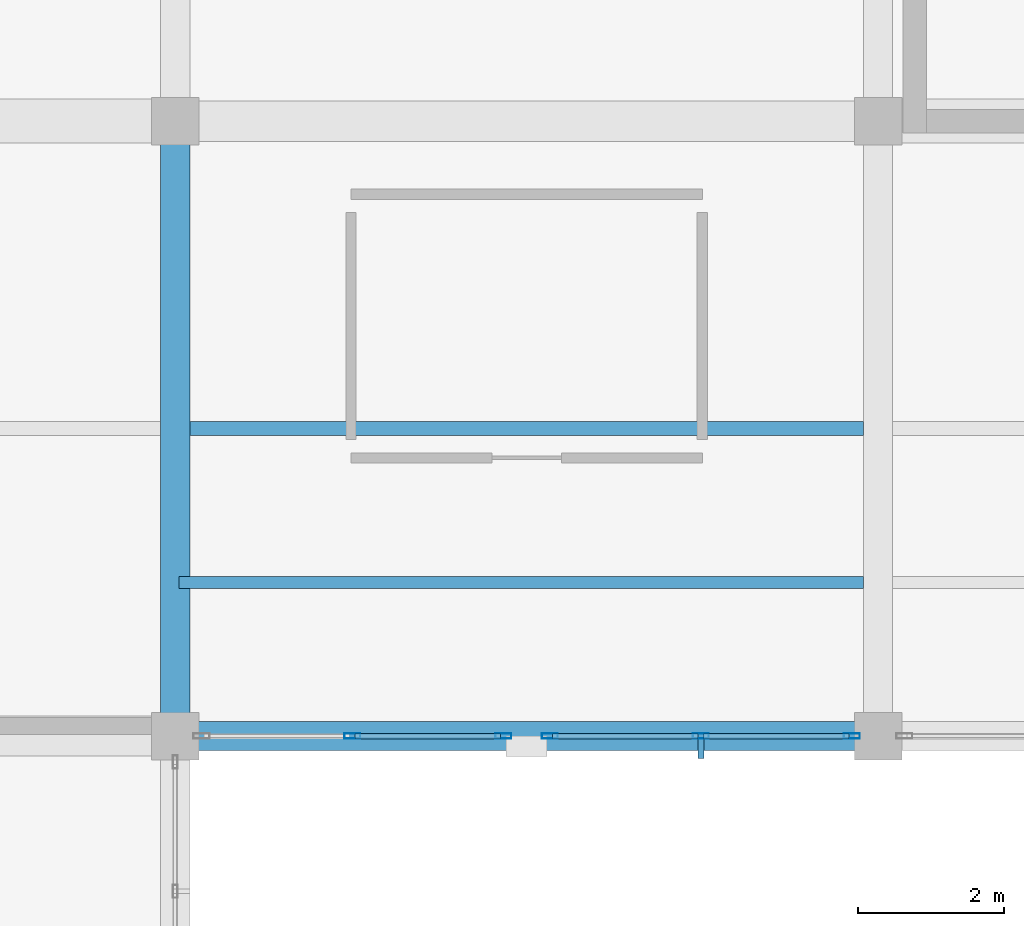
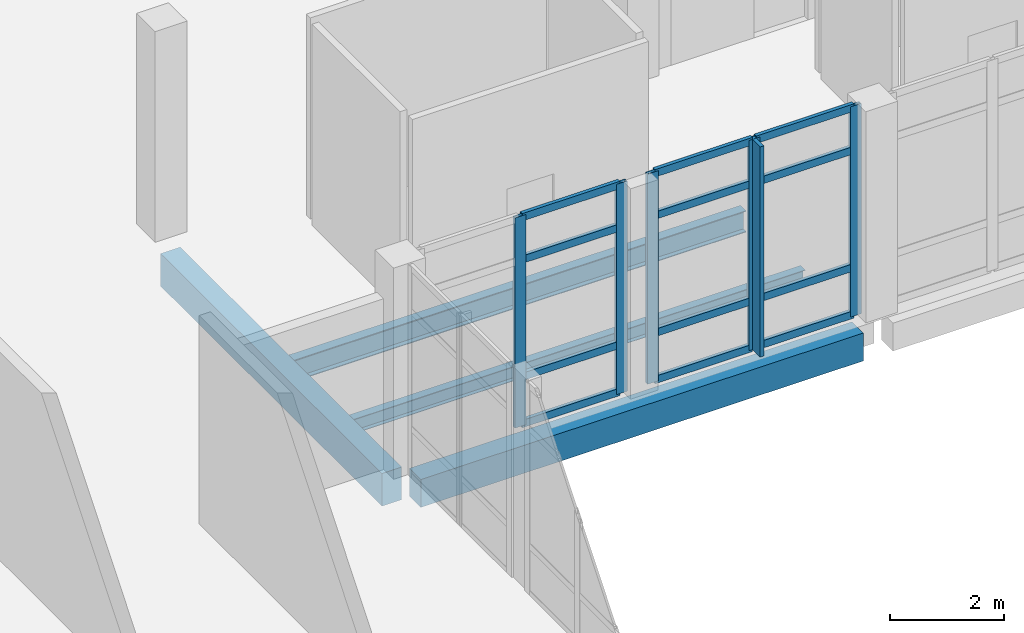
# One storey, part 24 of 102: 18 members, 4 beams, 2 elements without a shape of their own.
"""IFC4 building model written with IfcOpenShell, lengths in metres."""

from ifc_helpers import new_model, si_unit, direction, frame, origin, origin_2d, place, context, subcontext, project, spatial, rectangle, hollow_rectangle, i_section, extrude, material, layer, layer_set, material_profile, profile_set, type_object, element, aggregate, save


model = new_model("IFC4")

# Units and contexts
model_context = context("Model", 3, precision=1e-05, world=origin(), true_north=direction((0.0, 1.0)))
body_context = subcontext(model_context, "Body", "Model", "MODEL_VIEW")
ifc_project = project(units=[si_unit("LENGTHUNIT", "METRE"), si_unit("AREAUNIT", "SQUARE_METRE"), si_unit("VOLUMEUNIT", "CUBIC_METRE"), si_unit("PLANEANGLEUNIT", "RADIAN"), si_unit("MASSUNIT", "GRAM", prefix="KILO")], contexts=[model_context])

# Site, building, storey
site_placement = place(None, origin())
site = spatial("IfcSite", under=ifc_project, at=site_placement, CompositionType="ELEMENT")
building_placement = place(site_placement, origin())
building = spatial("IfcBuilding", under=site, at=building_placement, Name="Lornevale Opera House", CompositionType="ELEMENT")
storey_placement = place(building_placement, frame((0.0, 0.0, 5.39990234375)))
storey = spatial("IfcBuildingStorey", under=building, at=storey_placement, Name="L02", CompositionType="ELEMENT", Elevation=5.39990234375)

# Beams
ifc_material_1 = material(Name="Concrete 35 MPa (CSA A23.1 N)", Category="concrete")
ifc_material_profile_1 = material_profile(ifc_material_1, rectangle(XDim=0.39990234375, YDim=0.699951171875, at=origin_2d()), Name="RC400x700")
ifc_profile_set_1 = profile_set([ifc_material_profile_1], Name="Concrete 35 MPa (CSA A23.1 N)")
beam_type_1 = type_object("IfcBeamType", Name="Concrete Floor Beam 400x700", PredefinedType="USERDEFINED", material=ifc_profile_set_1)
beam_1_placement = place(storey_placement, frame((38.39990234375, 17.10009765625, -0.64990234375), z_axis=(0.0, 1.0, 0.0), x_axis=(-1.0, 0.0, 0.0)))
element("IfcBeam", 1, at=beam_1_placement, inside=storey, type_object=beam_type_1, Name="Concrete Floor Beam 400x700 1859", ObjectType="GIRDER", PredefinedType="USERDEFINED", context=body_context, shape_type="SweptSolid", body=[
    extrude(rectangle(XDim=0.39990234375, YDim=0.699951171875, at=origin_2d()), origin(), (0.0, 0.0, 1.0), 7.7998046875),
])
ifc_material_profile_2 = material_profile(ifc_material_1, rectangle(XDim=0.39990234375, YDim=0.60009765625, at=origin_2d()), Name="RC400x600")
ifc_profile_set_2 = profile_set([ifc_material_profile_2], Name="Concrete 35 MPa (CSA A23.1 N)")
beam_type_2 = type_object("IfcBeamType", Name="Concrete Spandrel Beam 400x600", PredefinedType="SPANDREL", material=ifc_profile_set_2)
beam_2_placement = place(storey_placement, frame((38.699951171875, 16.800048828125, -0.599853515625), z_axis=(1.0, 0.0, 0.0), x_axis=(0.0, 1.0, 0.0)))
element("IfcBeam", 2, at=beam_2_placement, inside=storey, type_object=beam_type_2, Name="Concrete Spandrel Beam 400x600 1685", PredefinedType="SPANDREL", context=body_context, shape_type="SweptSolid", body=[
    extrude(rectangle(XDim=0.39990234375, YDim=0.60009765625, at=origin_2d()), origin(), (0.0, 0.0, 1.0), 9.0),
])

# Curtain wall, members
ifc_material_2 = material(Name="Anodized Oxide-Green Aluminium Framing", Category="aluminium")
ifc_layer = layer(ifc_material_2, 0.219970703125)
ifc_layer_set = layer_set([ifc_layer], Name="Anodized Oxide-Green Aluminium Framing")
curtain_wall_type = type_object("IfcCurtainWallType", Name="Winter-Garden Curtain Wall M1900", PredefinedType="NOTDEFINED", material=ifc_layer_set)
curtain_wall_1_placement = place(storey_placement, origin())
curtain_wall_1 = element("IfcCurtainWall", 3, at=curtain_wall_1_placement, inside=storey, type_object=curtain_wall_type, Name="Winter-Garden Curtain Wall M1900 CW-063", PredefinedType="NOTDEFINED")
ifc_material_profile_3 = material_profile(ifc_material_2, hollow_rectangle(XDim=0.074951171875, YDim=0.219970703125, WallThickness=0.0048828125, at=origin_2d()), Name="ALU75x220x5")
ifc_profile_set_3 = profile_set([ifc_material_profile_3], Name="Anodized Oxide-Green Aluminium Framing")
member_type_1 = type_object("IfcMemberType", Name="Curtain Wall Mullion 75x220", PredefinedType="MULLION", material=ifc_profile_set_3)
member_1_placement = place(storey_placement, frame((47.6416015625, 16.800048828125, 0.0), z_axis=(0.0, 0.0, 1.0), x_axis=(0.0, -1.0, 0.0)))
member_1 = element("IfcMember", 4, at=member_1_placement, type_object=member_type_1, Name="Curtain Wall Mullion 75x220 CW1255", PredefinedType="MULLION", context=body_context, shape_type="SweptSolid", body=[
    extrude(hollow_rectangle(XDim=0.074951171875, YDim=0.219970703125, WallThickness=0.0048828125, at=origin_2d()), origin(), (0.0, 0.0, 1.0), 4.52001953125),
])
member_2_placement = place(storey_placement, frame((45.57958984375, 16.800048828125, 0.0), z_axis=(0.0, 0.0, 1.0), x_axis=(0.0, -1.0, 0.0)))
member_2 = element("IfcMember", 5, at=member_2_placement, type_object=member_type_1, Name="Curtain Wall Mullion 75x220 CW1256", PredefinedType="MULLION", context=body_context, shape_type="SweptSolid", body=[
    extrude(hollow_rectangle(XDim=0.074951171875, YDim=0.219970703125, WallThickness=0.0048828125, at=origin_2d()), origin(), (0.0, 0.0, 1.0), 4.52001953125),
])
member_3_placement = place(storey_placement, frame((43.517578125, 16.800048828125, 0.0), z_axis=(0.0, 0.0, 1.0), x_axis=(0.0, -1.0, 0.0)))
member_3 = element("IfcMember", 6, at=member_3_placement, type_object=member_type_1, Name="Curtain Wall Mullion 75x220 CW1257", PredefinedType="MULLION", context=body_context, shape_type="SweptSolid", body=[
    extrude(hollow_rectangle(XDim=0.074951171875, YDim=0.219970703125, WallThickness=0.0048828125, at=origin_2d()), origin(), (0.0, 0.0, 1.0), 4.52001953125),
])

curtain_wall_2_placement = place(storey_placement, origin())
curtain_wall_2 = element("IfcCurtainWall", 7, at=curtain_wall_2_placement, inside=storey, type_object=curtain_wall_type, Name="Winter-Garden Curtain Wall M1900 CW-064", PredefinedType="NOTDEFINED")
member_4_placement = place(storey_placement, frame((42.882568359375, 16.800048828125, 0.0), z_axis=(0.0, 0.0, 1.0), x_axis=(0.0, -1.0, 0.0)))
member_4 = element("IfcMember", 8, at=member_4_placement, type_object=member_type_1, Name="Curtain Wall Mullion 75x220 CW1272", PredefinedType="MULLION", context=body_context, shape_type="SweptSolid", body=[
    extrude(hollow_rectangle(XDim=0.074951171875, YDim=0.219970703125, WallThickness=0.0048828125, at=origin_2d()), origin(), (0.0, 0.0, 1.0), 4.52001953125),
])
member_5_placement = place(storey_placement, frame((40.820556640625, 16.800048828125, 0.0), z_axis=(0.0, 0.0, 1.0), x_axis=(0.0, -1.0, 0.0)))
member_5 = element("IfcMember", 9, at=member_5_placement, type_object=member_type_1, Name="Curtain Wall Mullion 75x220 CW1273", PredefinedType="MULLION", context=body_context, shape_type="SweptSolid", body=[
    extrude(hollow_rectangle(XDim=0.074951171875, YDim=0.219970703125, WallThickness=0.0048828125, at=origin_2d()), origin(), (0.0, 0.0, 1.0), 4.52001953125),
])

# Member
ifc_material_profile_4 = material_profile(ifc_material_2, hollow_rectangle(XDim=0.074951171875, YDim=0.159912109375, WallThickness=0.0048828125, at=origin_2d()), Name="ALU75x160x5")
ifc_profile_set_4 = profile_set([ifc_material_profile_4], Name="Anodized Oxide-Green Aluminium Framing")
member_type_2 = type_object("IfcMemberType", Name="Curtain Wall Transom 75x160", PredefinedType="USERDEFINED", material=ifc_profile_set_4)
member_6_placement = place(storey_placement, frame((47.60400390625, 16.800048828125, 0.03759765625), z_axis=(-1.0, 0.0, 0.0), x_axis=(0.0, -1.0, 0.0)))
member_6 = element("IfcMember", 10, at=member_6_placement, type_object=member_type_2, Name="Curtain Wall Transom 75x160 CW1258", ObjectType="TRANSOM", PredefinedType="USERDEFINED", context=body_context, shape_type="SweptSolid", body=[
    extrude(hollow_rectangle(XDim=0.074951171875, YDim=0.159912109375, WallThickness=0.0048828125, at=origin_2d()), origin(), (0.0, 0.0, 1.0), 1.987060546875),
])

member_7_placement = place(storey_placement, frame((47.60400390625, 16.800048828125, 1.050048828125), z_axis=(-1.0, 0.0, 0.0), x_axis=(0.0, -1.0, 0.0)))
member_7 = element("IfcMember", 11, at=member_7_placement, type_object=member_type_2, Name="Curtain Wall Transom 75x160 CW1259", ObjectType="TRANSOM", PredefinedType="USERDEFINED", context=body_context, shape_type="SweptSolid", body=[
    extrude(hollow_rectangle(XDim=0.074951171875, YDim=0.159912109375, WallThickness=0.0048828125, at=origin_2d()), origin(), (0.0, 0.0, 1.0), 1.987060546875),
])

member_8_placement = place(storey_placement, frame((47.60400390625, 16.800048828125, 3.570068359375), z_axis=(-1.0, 0.0, 0.0), x_axis=(0.0, -1.0, 0.0)))
member_8 = element("IfcMember", 12, at=member_8_placement, type_object=member_type_2, Name="Curtain Wall Transom 75x160 CW1260", ObjectType="TRANSOM", PredefinedType="USERDEFINED", context=body_context, shape_type="SweptSolid", body=[
    extrude(hollow_rectangle(XDim=0.074951171875, YDim=0.159912109375, WallThickness=0.0048828125, at=origin_2d()), origin(), (0.0, 0.0, 1.0), 1.987060546875),
])

member_9_placement = place(storey_placement, frame((47.60400390625, 16.800048828125, 4.482666015625), z_axis=(-1.0, 0.0, 0.0), x_axis=(0.0, -1.0, 0.0)))
member_9 = element("IfcMember", 13, at=member_9_placement, type_object=member_type_2, Name="Curtain Wall Transom 75x160 CW1261", ObjectType="TRANSOM", PredefinedType="USERDEFINED", context=body_context, shape_type="SweptSolid", body=[
    extrude(hollow_rectangle(XDim=0.074951171875, YDim=0.159912109375, WallThickness=0.0048828125, at=origin_2d()), origin(), (0.0, 0.0, 1.0), 1.987060546875),
])

member_10_placement = place(storey_placement, frame((45.5419921875, 16.800048828125, 0.03759765625), z_axis=(-1.0, 0.0, 0.0), x_axis=(0.0, -1.0, 0.0)))
member_10 = element("IfcMember", 14, at=member_10_placement, type_object=member_type_2, Name="Curtain Wall Transom 75x160 CW1265", ObjectType="TRANSOM", PredefinedType="USERDEFINED", context=body_context, shape_type="SweptSolid", body=[
    extrude(hollow_rectangle(XDim=0.074951171875, YDim=0.159912109375, WallThickness=0.0048828125, at=origin_2d()), origin(), (0.0, 0.0, 1.0), 1.987060546875),
])

member_11_placement = place(storey_placement, frame((45.5419921875, 16.800048828125, 1.050048828125), z_axis=(-1.0, 0.0, 0.0), x_axis=(0.0, -1.0, 0.0)))
member_11 = element("IfcMember", 15, at=member_11_placement, type_object=member_type_2, Name="Curtain Wall Transom 75x160 CW1266", ObjectType="TRANSOM", PredefinedType="USERDEFINED", context=body_context, shape_type="SweptSolid", body=[
    extrude(hollow_rectangle(XDim=0.074951171875, YDim=0.159912109375, WallThickness=0.0048828125, at=origin_2d()), origin(), (0.0, 0.0, 1.0), 1.987060546875),
])

member_12_placement = place(storey_placement, frame((45.5419921875, 16.800048828125, 3.570068359375), z_axis=(-1.0, 0.0, 0.0), x_axis=(0.0, -1.0, 0.0)))
member_12 = element("IfcMember", 16, at=member_12_placement, type_object=member_type_2, Name="Curtain Wall Transom 75x160 CW1267", ObjectType="TRANSOM", PredefinedType="USERDEFINED", context=body_context, shape_type="SweptSolid", body=[
    extrude(hollow_rectangle(XDim=0.074951171875, YDim=0.159912109375, WallThickness=0.0048828125, at=origin_2d()), origin(), (0.0, 0.0, 1.0), 1.987060546875),
])

member_13_placement = place(storey_placement, frame((45.5419921875, 16.800048828125, 4.482666015625), z_axis=(-1.0, 0.0, 0.0), x_axis=(0.0, -1.0, 0.0)))
member_13 = element("IfcMember", 17, at=member_13_placement, type_object=member_type_2, Name="Curtain Wall Transom 75x160 CW1268", ObjectType="TRANSOM", PredefinedType="USERDEFINED", context=body_context, shape_type="SweptSolid", body=[
    extrude(hollow_rectangle(XDim=0.074951171875, YDim=0.159912109375, WallThickness=0.0048828125, at=origin_2d()), origin(), (0.0, 0.0, 1.0), 1.987060546875),
])

member_14_placement = place(storey_placement, frame((42.844970703125, 16.800048828125, 0.03759765625), z_axis=(-1.0, 0.0, 0.0), x_axis=(0.0, -1.0, 0.0)))
member_14 = element("IfcMember", 18, at=member_14_placement, type_object=member_type_2, Name="Curtain Wall Transom 75x160 CW1275", ObjectType="TRANSOM", PredefinedType="USERDEFINED", context=body_context, shape_type="SweptSolid", body=[
    extrude(hollow_rectangle(XDim=0.074951171875, YDim=0.159912109375, WallThickness=0.0048828125, at=origin_2d()), origin(), (0.0, 0.0, 1.0), 1.987060546875),
])

member_15_placement = place(storey_placement, frame((42.844970703125, 16.800048828125, 1.050048828125), z_axis=(-1.0, 0.0, 0.0), x_axis=(0.0, -1.0, 0.0)))
member_15 = element("IfcMember", 19, at=member_15_placement, type_object=member_type_2, Name="Curtain Wall Transom 75x160 CW1276", ObjectType="TRANSOM", PredefinedType="USERDEFINED", context=body_context, shape_type="SweptSolid", body=[
    extrude(hollow_rectangle(XDim=0.074951171875, YDim=0.159912109375, WallThickness=0.0048828125, at=origin_2d()), origin(), (0.0, 0.0, 1.0), 1.987060546875),
])

member_16_placement = place(storey_placement, frame((42.844970703125, 16.800048828125, 3.570068359375), z_axis=(-1.0, 0.0, 0.0), x_axis=(0.0, -1.0, 0.0)))
member_16 = element("IfcMember", 20, at=member_16_placement, type_object=member_type_2, Name="Curtain Wall Transom 75x160 CW1277", ObjectType="TRANSOM", PredefinedType="USERDEFINED", context=body_context, shape_type="SweptSolid", body=[
    extrude(hollow_rectangle(XDim=0.074951171875, YDim=0.159912109375, WallThickness=0.0048828125, at=origin_2d()), origin(), (0.0, 0.0, 1.0), 1.987060546875),
])

member_17_placement = place(storey_placement, frame((42.844970703125, 16.800048828125, 4.482666015625), z_axis=(-1.0, 0.0, 0.0), x_axis=(0.0, -1.0, 0.0)))
member_17 = element("IfcMember", 21, at=member_17_placement, type_object=member_type_2, Name="Curtain Wall Transom 75x160 CW1278", ObjectType="TRANSOM", PredefinedType="USERDEFINED", context=body_context, shape_type="SweptSolid", body=[
    extrude(hollow_rectangle(XDim=0.074951171875, YDim=0.159912109375, WallThickness=0.0048828125, at=origin_2d()), origin(), (0.0, 0.0, 1.0), 1.987060546875),
])

aggregate(curtain_wall_2, [member_4, member_5, member_14, member_15, member_16, member_17])

# Beam
ifc_material_3 = material(Name="Structural Steel CSA G40.21 Grade 350W (350 MPa)", Category="steel")
ifc_material_profile_5 = material_profile(ifc_material_3, i_section(OverallWidth=0.1650390625, OverallDepth=0.31005859375, WebThickness=0.005859375, FlangeThickness=0.009765625, at=origin_2d()), Name="W310x39")
ifc_profile_set_5 = profile_set([ifc_material_profile_5], Name="Structural Steel CSA G40.21 Grade 350W (350 MPa)")
beam_type_3 = type_object("IfcBeamType", Name="Foyer Secondary Joist W310x39", PredefinedType="JOIST", material=ifc_profile_set_5)
beam_3_placement = place(storey_placement, frame((38.449951171875, 18.89990234375, -0.47998046875), z_axis=(1.0, 0.0, 0.0), x_axis=(0.0, 1.0, 0.0)))
element("IfcBeam", 22, at=beam_3_placement, inside=storey, type_object=beam_type_3, Name="Foyer Secondary Joist W310x39 3035", PredefinedType="JOIST", context=body_context, shape_type="SweptSolid", body=[
    extrude(i_section(OverallWidth=0.1650390625, OverallDepth=0.31005859375, WebThickness=0.005859375, FlangeThickness=0.009765625, at=origin_2d()), origin(), (0.0, 0.0, 1.0), 9.35009765625),
])

# Member
ifc_material_4 = material(Name="Architectural Bronze Solar Louvre Alloy", Category="metal")
ifc_material_profile_6 = material_profile(ifc_material_4, rectangle(XDim=0.080078125, YDim=0.360107421875, at=origin_2d()), Name="FIN80x360")
ifc_profile_set_6 = profile_set([ifc_material_profile_6], Name="Architectural Bronze Solar Louvre Alloy")
member_type_3 = type_object("IfcMemberType", Name="Solar Shading Fin 80x360", PredefinedType="USERDEFINED", material=ifc_profile_set_6)
member_18_placement = place(storey_placement, frame((45.57958984375, 16.674072265625, 0.0), z_axis=(0.0, 0.0, 1.0), x_axis=(-1.0, 0.0, 0.0)))
member_18 = element("IfcMember", 23, at=member_18_placement, type_object=member_type_3, Name="Solar Shading Fin 80x360 FIN0025", ObjectType="SOLAR FIN", PredefinedType="USERDEFINED", context=body_context, shape_type="SweptSolid", body=[
    extrude(rectangle(XDim=0.080078125, YDim=0.360107421875, at=origin_2d()), origin(), (0.0, 0.0, 1.0), 4.52001953125),
])

aggregate(curtain_wall_1, [member_1, member_2, member_3, member_6, member_7, member_8, member_9, member_10, member_11, member_12, member_13, member_18])

# Beam
ifc_material_profile_7 = material_profile(ifc_material_3, i_section(OverallWidth=0.19189453125, OverallDepth=0.462890625, WebThickness=0.010498046875, FlangeThickness=0.017578125, at=origin_2d()), Name="W460x89")
ifc_profile_set_7 = profile_set([ifc_material_profile_7], Name="Structural Steel CSA G40.21 Grade 350W (350 MPa)")
beam_type_4 = type_object("IfcBeamType", Name="Steel Floor Joist W460x89", PredefinedType="JOIST", material=ifc_profile_set_7)
beam_4_placement = place(storey_placement, frame((38.60009765625, 21.0, -0.54638671875), z_axis=(1.0, 0.0, 0.0), x_axis=(0.0, 1.0, 0.0)))
element("IfcBeam", 24, at=beam_4_placement, inside=storey, type_object=beam_type_4, Name="Steel Floor Joist W460x89 2002", PredefinedType="JOIST", context=body_context, shape_type="SweptSolid", body=[
    extrude(i_section(OverallWidth=0.19189453125, OverallDepth=0.462890625, WebThickness=0.010498046875, FlangeThickness=0.017578125, at=origin_2d()), origin(), (0.0, 0.0, 1.0), 9.199951171875),
])

save(model, "model.ifc")
